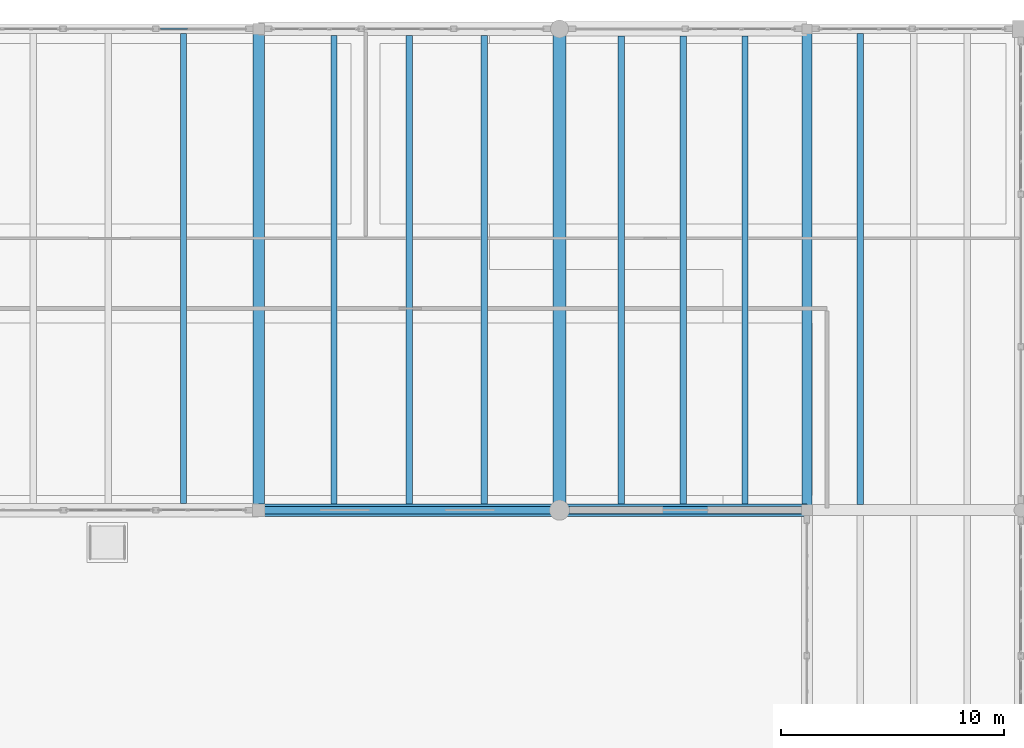
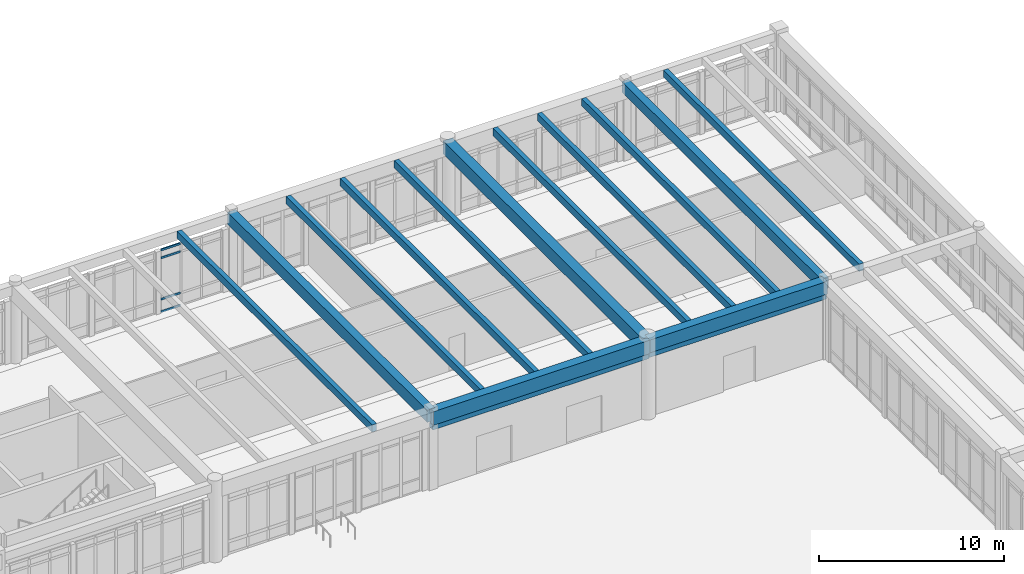
# One storey, part 60 of 138: 15 beams, 4 members, 1 element without a shape of its own.
"""IFC4 building model written with IfcOpenShell, lengths in metres."""

from ifc_helpers import new_model, si_unit, direction, frame, origin, origin_2d, place, context, subcontext, project, spatial, rectangle, hollow_rectangle, extrude, material, layer, layer_set, material_profile, profile_set, type_object, element, aggregate, save


model = new_model("IFC4")

# Units and contexts
model_context = context("Model", 3, precision=1e-05, world=origin(), true_north=direction((0.0, 1.0)))
body_context = subcontext(model_context, "Body", "Model", "MODEL_VIEW")
ifc_project = project(units=[si_unit("LENGTHUNIT", "METRE"), si_unit("AREAUNIT", "SQUARE_METRE"), si_unit("VOLUMEUNIT", "CUBIC_METRE"), si_unit("PLANEANGLEUNIT", "RADIAN"), si_unit("MASSUNIT", "GRAM", prefix="KILO")], contexts=[model_context])

# Site, building, storey
site_placement = place(None, origin())
site = spatial("IfcSite", under=ifc_project, at=site_placement, CompositionType="ELEMENT")
building_placement = place(site_placement, origin())
building = spatial("IfcBuilding", under=site, at=building_placement, Name="Fikremerkos Civic Library", CompositionType="ELEMENT")
storey_placement = place(building_placement, origin())
storey = spatial("IfcBuildingStorey", under=building, at=storey_placement, Name="L00", CompositionType="ELEMENT", Elevation=0.0)

# Curtain wall, members
ifc_material_1 = material(Name="Anodized aluminium Frame", Category="aluminium")
ifc_layer = layer(ifc_material_1, 0.159912109375, Name="Anodized aluminium Frame")
ifc_layer_set = layer_set([ifc_layer], Name="Anodized aluminium Frame")
curtain_wall_type = type_object("IfcCurtainWallType", Name="Unitised curtain wall CW-12 4300x3400", PredefinedType="USERDEFINED", material=ifc_layer_set)
curtain_wall_placement = place(storey_placement, origin())
curtain_wall = element("IfcCurtainWall", 1, at=curtain_wall_placement, inside=storey, type_object=curtain_wall_type, Name="Unitised curtain wall CW-12 L00 #48", ObjectType="UNITISED CURTAIN WALL", PredefinedType="USERDEFINED")
ifc_material_profile_1 = material_profile(ifc_material_1, hollow_rectangle(XDim=0.06494140625, YDim=0.135009765625, WallThickness=0.00439453125, at=origin_2d()), Name="ALU 135x65x4.5")
ifc_profile_set_1 = profile_set([ifc_material_profile_1], Name="Anodized aluminium Frame")
member_type = type_object("IfcMemberType", Name="Curtain transom CWT-02 ALU 135x65x4.5", PredefinedType="USERDEFINED", material=ifc_profile_set_1)
member_1_placement = place(storey_placement, frame((95.7939453125, 117.60009765625, 0.032470703125), z_axis=(1.0, 0.0, 0.0), x_axis=(0.0, 1.0, 0.0)))
member_1 = element("IfcMember", 2, at=member_1_placement, type_object=member_type, Name="CW-12 transom 1.1", ObjectType="TRANSOM", PredefinedType="USERDEFINED", context=body_context, shape_type="SweptSolid", body=[
    extrude(hollow_rectangle(XDim=0.06494140625, YDim=0.135009765625, WallThickness=0.00439453125, at=origin_2d()), origin(), (0.0, 0.0, 1.0), 1.199462890625),
])
member_2_placement = place(storey_placement, frame((95.7939453125, 117.60009765625, 0.85009765625), z_axis=(1.0, 0.0, 0.0), x_axis=(0.0, 1.0, 0.0)))
member_2 = element("IfcMember", 3, at=member_2_placement, type_object=member_type, Name="CW-12 transom 1.2", ObjectType="TRANSOM", PredefinedType="USERDEFINED", context=body_context, shape_type="SweptSolid", body=[
    extrude(hollow_rectangle(XDim=0.06494140625, YDim=0.135009765625, WallThickness=0.00439453125, at=origin_2d()), origin(), (0.0, 0.0, 1.0), 1.199462890625),
])
member_3_placement = place(storey_placement, frame((95.7939453125, 117.60009765625, 3.580078125), z_axis=(1.0, 0.0, 0.0), x_axis=(0.0, 1.0, 0.0)))
member_3 = element("IfcMember", 4, at=member_3_placement, type_object=member_type, Name="CW-12 transom 1.3", ObjectType="TRANSOM", PredefinedType="USERDEFINED", context=body_context, shape_type="SweptSolid", body=[
    extrude(hollow_rectangle(XDim=0.06494140625, YDim=0.135009765625, WallThickness=0.00439453125, at=origin_2d()), origin(), (0.0, 0.0, 1.0), 1.199462890625),
])
member_4_placement = place(storey_placement, frame((95.7939453125, 117.60009765625, 4.097412109375), z_axis=(1.0, 0.0, 0.0), x_axis=(0.0, 1.0, 0.0)))
member_4 = element("IfcMember", 5, at=member_4_placement, type_object=member_type, Name="CW-12 transom 1.4", ObjectType="TRANSOM", PredefinedType="USERDEFINED", context=body_context, shape_type="SweptSolid", body=[
    extrude(hollow_rectangle(XDim=0.06494140625, YDim=0.135009765625, WallThickness=0.00439453125, at=origin_2d()), origin(), (0.0, 0.0, 1.0), 1.199462890625),
])
aggregate(curtain_wall, [member_1, member_2, member_3, member_4])

# Beams
ifc_material_2 = material(Name="Concrete C40/50", Category="concrete")
ifc_material_profile_2 = material_profile(ifc_material_2, rectangle(XDim=0.280029296875, YDim=0.47998046875, at=origin_2d()), Name="RC 280x480")
ifc_profile_set_2 = profile_set([ifc_material_profile_2], Name="Concrete C40/50")
beam_type_1 = type_object("IfcBeamType", Name="Floor joist JS-04 RC 280x480", PredefinedType="JOIST", material=ifc_profile_set_2)
beam_1_placement = place(storey_placement, frame((96.824951171875, 96.300048828125, 4.89990234375), z_axis=(0.0, 1.0, 0.0), x_axis=(-1.0, 0.0, 0.0)))
element("IfcBeam", 6, at=beam_1_placement, inside=storey, type_object=beam_type_1, Name="Floor joist JS-04 L00 #335", PredefinedType="JOIST", context=body_context, shape_type="SweptSolid", body=[
    extrude(rectangle(XDim=0.280029296875, YDim=0.47998046875, at=origin_2d()), origin(), (0.0, 0.0, 1.0), 21.099853515625),
])
for number, where, z_axis, x_axis, name in (
    (7, (103.574951171875, 96.27490234375, 4.89990234375), (0.0, 1.0, 0.0), (-1.0, 0.0, 0.0), "Floor joist JS-04 L00 #342"),
    (8, (106.949951171875, 96.27490234375, 4.89990234375), (0.0, 1.0, 0.0), (-1.0, 0.0, 0.0), "Floor joist JS-04 L00 #343"),
    (9, (110.324951171875, 96.27490234375, 4.89990234375), (0.0, 1.0, 0.0), (-1.0, 0.0, 0.0), "Floor joist JS-04 L00 #344"),
):
    element("IfcBeam", number, at=place(storey_placement, frame(where, z_axis=z_axis, x_axis=x_axis)), inside=storey, type_object=beam_type_1, Name=name, PredefinedType="JOIST", context=body_context, shape_type="SweptSolid", body=[
        extrude(rectangle(XDim=0.280029296875, YDim=0.47998046875, at=origin_2d()), origin(), (0.0, 0.0, 1.0), 21.025146484375),
    ])
for number, where, z_axis, x_axis, name in (
    (10, (116.47509765625, 96.27490234375, 4.89990234375), (0.0, 1.0, 0.0), (-1.0, 0.0, 0.0), "Floor joist JS-04 L00 #353"),
    (11, (119.25, 96.27490234375, 4.89990234375), (0.0, 1.0, 0.0), (-1.0, 0.0, 0.0), "Floor joist JS-04 L00 #354"),
    (12, (122.02490234375, 96.27490234375, 4.89990234375), (0.0, 1.0, 0.0), (-1.0, 0.0, 0.0), "Floor joist JS-04 L00 #355"),
):
    element("IfcBeam", number, at=place(storey_placement, frame(where, z_axis=z_axis, x_axis=x_axis)), inside=storey, type_object=beam_type_1, Name=name, PredefinedType="JOIST", context=body_context, shape_type="SweptSolid", body=[
        extrude(rectangle(XDim=0.280029296875, YDim=0.47998046875, at=origin_2d()), origin(), (0.0, 0.0, 1.0), 21.0),
    ])
beam_2_placement = place(storey_placement, frame((127.199951171875, 96.25, 4.89990234375), z_axis=(0.0, 1.0, 0.0), x_axis=(-1.0, 0.0, 0.0)))
element("IfcBeam", 13, at=beam_2_placement, inside=storey, type_object=beam_type_1, Name="Floor joist JS-04 L00 #370", PredefinedType="JOIST", context=body_context, shape_type="SweptSolid", body=[
    extrude(rectangle(XDim=0.280029296875, YDim=0.47998046875, at=origin_2d()), origin(), (0.0, 0.0, 1.0), 21.14990234375),
])
ifc_material_profile_3 = material_profile(ifc_material_2, rectangle(XDim=0.35009765625, YDim=0.300048828125, at=origin_2d()), Name="RC 350x300")
ifc_profile_set_3 = profile_set([ifc_material_profile_3], Name="Concrete C40/50")
beam_type_2 = type_object("IfcBeamType", Name="Opening lintel LNT-01 RC 350x300", PredefinedType="LINTEL", material=ifc_profile_set_3)
beam_3_placement = place(storey_placement, frame((124.800048828125, 96.0, 4.06005859375), z_axis=(-1.0, 0.0, 0.0), x_axis=(0.0, -1.0, 0.0)))
element("IfcBeam", 14, at=beam_3_placement, inside=storey, type_object=beam_type_2, Name="Exterior doorway head lintel LNT-01 #245", PredefinedType="LINTEL", context=body_context, shape_type="SweptSolid", body=[
    extrude(rectangle(XDim=0.35009765625, YDim=0.300048828125, at=origin_2d()), origin(), (0.0, 0.0, 1.0), 11.10009765625),
])
beam_4_placement = place(storey_placement, frame((113.699951171875, 96.0, 4.010009765625), z_axis=(-1.0, 0.0, 0.0), x_axis=(0.0, -1.0, 0.0)))
element("IfcBeam", 15, at=beam_4_placement, inside=storey, type_object=beam_type_2, Name="Exterior doorway head lintel LNT-01 #246", PredefinedType="LINTEL", context=body_context, shape_type="SweptSolid", body=[
    extrude(rectangle(XDim=0.35009765625, YDim=0.300048828125, at=origin_2d()), origin(), (0.0, 0.0, 1.0), 13.5),
])
ifc_material_profile_4 = material_profile(ifc_material_2, rectangle(XDim=0.550048828125, YDim=0.89990234375, at=origin_2d()), Name="RC 550x900")
ifc_profile_set_4 = profile_set([ifc_material_profile_4], Name="Concrete C40/50")
beam_type_3 = type_object("IfcBeamType", Name="Primary girder BM-02 RC 550x900", PredefinedType="BEAM", material=ifc_profile_set_4)
beam_5_placement = place(storey_placement, frame((100.199951171875, 96.0, 4.68994140625), z_axis=(1.0, 0.0, 0.0), x_axis=(0.0, 1.0, 0.0)))
element("IfcBeam", 16, at=beam_5_placement, inside=storey, type_object=beam_type_3, Name="Primary girder BM-02 L00 grid M", PredefinedType="BEAM", context=body_context, shape_type="SweptSolid", body=[
    extrude(rectangle(XDim=0.550048828125, YDim=0.89990234375, at=origin_2d()), origin(), (0.0, 0.0, 1.0), 13.5),
])
ifc_material_profile_5 = material_profile(ifc_material_2, rectangle(XDim=0.550048828125, YDim=0.85009765625, at=origin_2d()), Name="RC 550x850")
ifc_profile_set_5 = profile_set([ifc_material_profile_5], Name="Concrete C40/50")
beam_type_4 = type_object("IfcBeamType", Name="Primary girder BM-03 RC 550x850", PredefinedType="BEAM", material=ifc_profile_set_5)
beam_6_placement = place(storey_placement, frame((113.699951171875, 96.0, 4.715087890625), z_axis=(1.0, 0.0, 0.0), x_axis=(0.0, 1.0, 0.0)))
element("IfcBeam", 17, at=beam_6_placement, inside=storey, type_object=beam_type_4, Name="Primary girder BM-03 L00 grid M", PredefinedType="BEAM", context=body_context, shape_type="SweptSolid", body=[
    extrude(rectangle(XDim=0.550048828125, YDim=0.85009765625, at=origin_2d()), origin(), (0.0, 0.0, 1.0), 11.10009765625),
])
ifc_material_profile_6 = material_profile(ifc_material_2, rectangle(XDim=0.5, YDim=0.800048828125, at=origin_2d()), Name="RC 500x800")
ifc_profile_set_6 = profile_set([ifc_material_profile_6], Name="Concrete C40/50")
beam_type_5 = type_object("IfcBeamType", Name="Primary girder BM-04 RC 500x800", PredefinedType="BEAM", material=ifc_profile_set_6)
beam_7_placement = place(storey_placement, frame((100.199951171875, 96.0, 4.739990234375), z_axis=(0.0, 1.0, 0.0), x_axis=(-1.0, 0.0, 0.0)))
element("IfcBeam", 18, at=beam_7_placement, inside=storey, type_object=beam_type_5, Name="Primary girder BM-04 L00 grid 9", PredefinedType="BEAM", context=body_context, shape_type="SweptSolid", body=[
    extrude(rectangle(XDim=0.5, YDim=0.800048828125, at=origin_2d()), origin(), (0.0, 0.0, 1.0), 21.60009765625),
])
ifc_material_profile_7 = material_profile(ifc_material_2, rectangle(XDim=0.449951171875, YDim=0.699951171875, at=origin_2d()), Name="RC 450x700")
ifc_profile_set_7 = profile_set([ifc_material_profile_7], Name="Concrete C40/50")
beam_type_6 = type_object("IfcBeamType", Name="Primary girder BM-06 RC 450x700", PredefinedType="BEAM", material=ifc_profile_set_7)
beam_8_placement = place(storey_placement, frame((124.800048828125, 96.0, 4.7900390625), z_axis=(0.0, 1.0, 0.0), x_axis=(-1.0, 0.0, 0.0)))
element("IfcBeam", 19, at=beam_8_placement, inside=storey, type_object=beam_type_6, Name="Primary girder BM-06 L00 grid 11", PredefinedType="BEAM", context=body_context, shape_type="SweptSolid", body=[
    extrude(rectangle(XDim=0.449951171875, YDim=0.699951171875, at=origin_2d()), origin(), (0.0, 0.0, 1.0), 21.60009765625),
])
ifc_material_profile_8 = material_profile(ifc_material_2, rectangle(XDim=0.60009765625, YDim=0.85009765625, at=origin_2d()), Name="RC 600x850")
ifc_profile_set_8 = profile_set([ifc_material_profile_8], Name="Concrete C40/50")
beam_type_7 = type_object("IfcBeamType", Name="Primary girder BM-24 RC 600x850", PredefinedType="BEAM", material=ifc_profile_set_8)
beam_9_placement = place(storey_placement, frame((113.699951171875, 96.0, 4.715087890625), z_axis=(0.0, 1.0, 0.0), x_axis=(-1.0, 0.0, 0.0)))
element("IfcBeam", 20, at=beam_9_placement, inside=storey, type_object=beam_type_7, Name="Primary girder BM-24 L00 grid 10", PredefinedType="BEAM", context=body_context, shape_type="SweptSolid", body=[
    extrude(rectangle(XDim=0.60009765625, YDim=0.85009765625, at=origin_2d()), origin(), (0.0, 0.0, 1.0), 21.60009765625),
])

save(model, "model.ifc")
